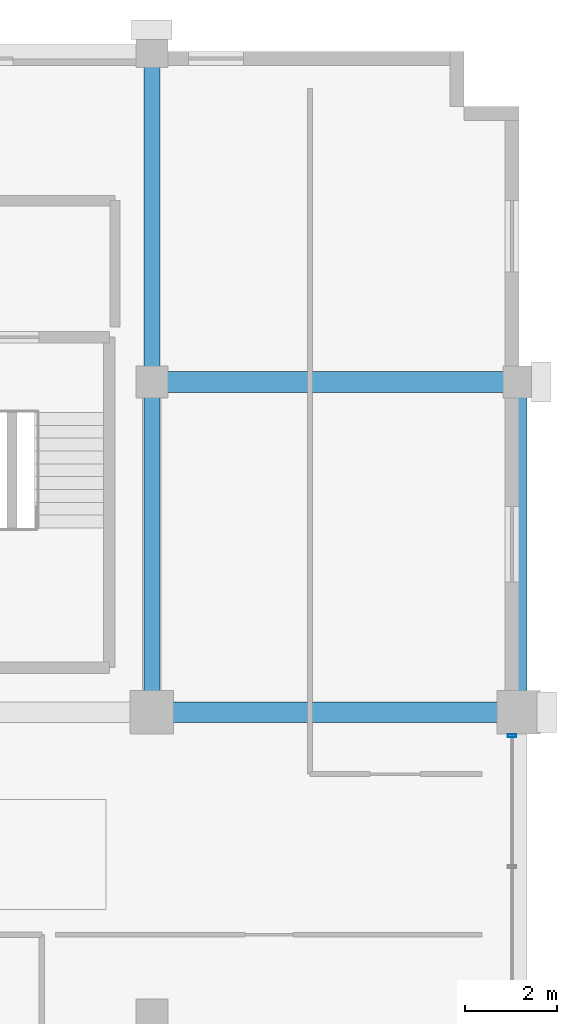
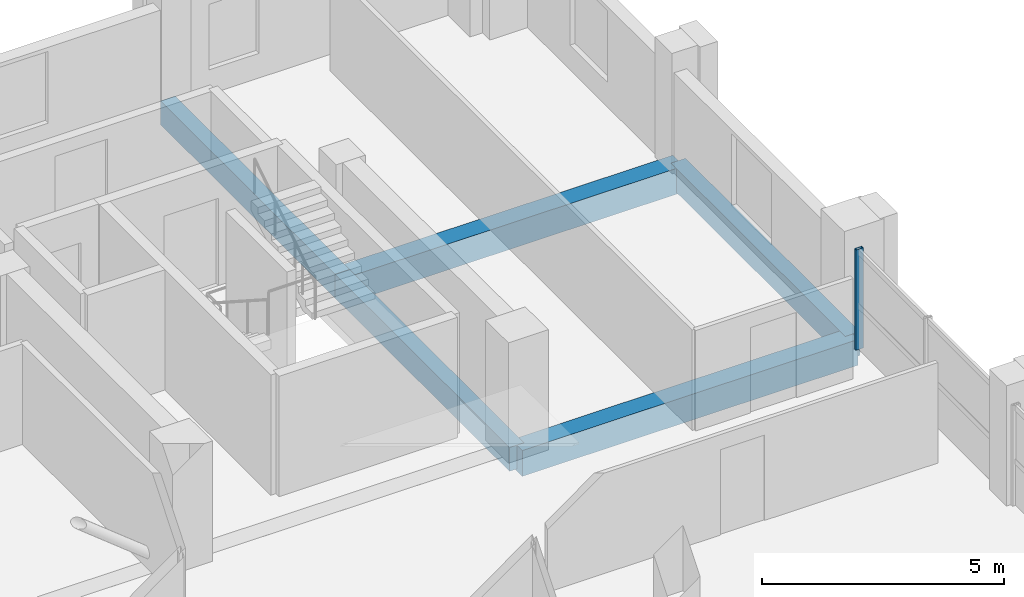
# One storey, part 18 of 25: 5 beams, 1 member, 1 element without a shape of its own.
"""IFC4 building model written with IfcOpenShell, lengths in metres."""

from ifc_helpers import new_model, si_unit, direction, frame, origin, origin_2d, place, context, subcontext, project, spatial, rectangle, hollow_rectangle, extrude, material, material_profile, profile_set, type_object, element, aggregate, save


model = new_model("IFC4")

# Units and contexts
model_context = context("Model", 3, precision=1e-05, world=origin(), true_north=direction((0.0, 1.0)))
body_context = subcontext(model_context, "Body", "Model", "MODEL_VIEW")
ifc_project = project(units=[si_unit("LENGTHUNIT", "METRE"), si_unit("AREAUNIT", "SQUARE_METRE"), si_unit("VOLUMEUNIT", "CUBIC_METRE"), si_unit("PLANEANGLEUNIT", "RADIAN"), si_unit("MASSUNIT", "GRAM", prefix="KILO")], contexts=[model_context])

# Site, building, storey
site_placement = place(None, origin())
site = spatial("IfcSite", under=ifc_project, at=site_placement, CompositionType="ELEMENT")
building_placement = place(site_placement, origin())
building = spatial("IfcBuilding", under=site, at=building_placement, Name="Akrevak Sports Hall", CompositionType="ELEMENT")
storey_placement = place(building_placement, frame((0.0, 0.0, 50.300048828125)))
storey = spatial("IfcBuildingStorey", under=building, at=storey_placement, Name="L12", CompositionType="ELEMENT", Elevation=50.300048828125)

# Curtain wall, member
ifc_material_1 = material(Name="Anodized Bronze Aluminium & Low-E Glass", Category="aluminium")
curtain_wall_type = type_object("IfcCurtainWallType", Name="ARC-CW-TWR-72x30", PredefinedType="NOTDEFINED", material=ifc_material_1)
curtain_wall_placement = place(storey_placement, origin())
curtain_wall = element("IfcCurtainWall", 1, at=curtain_wall_placement, inside=storey, type_object=curtain_wall_type, Name="Curtain Wall CW-L12-E14", PredefinedType="NOTDEFINED")
ifc_material_2 = material(Name="Anodized Bronze Aluminium", Category="aluminium")
ifc_material_profile_1 = material_profile(ifc_material_2, hollow_rectangle(XDim=0.06494140625, YDim=0.179931640625, WallThickness=0.00390625, at=origin_2d()), Name="CWM 65x180", Category="aluminium")
ifc_profile_set_1 = profile_set([ifc_material_profile_1], Name="Anodized Bronze Aluminium")
member_type = type_object("IfcMemberType", Name="ARC-CWM-65x140", PredefinedType="MULLION", material=ifc_profile_set_1)
member_placement = place(storey_placement, frame((107.85009765625, 54.68505859375, 0.0), z_axis=(0.0, 0.0, 1.0), x_axis=(0.0, 1.0, 0.0)))
member = element("IfcMember", 2, at=member_placement, type_object=member_type, Name="Curtain Wall Mullion CW-L12-E14-M3", PredefinedType="MULLION", context=body_context, shape_type="SweptSolid", body=[
    extrude(hollow_rectangle(XDim=0.06494140625, YDim=0.179931640625, WallThickness=0.00390625, at=origin_2d()), origin(), (0.0, 0.0, 1.0), 2.530029296875),
])
aggregate(curtain_wall, [member])

# Beams
ifc_material_3 = material(Name="Concrete C40/50", Category="concrete")
ifc_material_profile_2 = material_profile(ifc_material_3, rectangle(XDim=0.35009765625, YDim=0.60009765625, at=origin_2d()), Name="BM 350x600", Category="concrete")
ifc_profile_set_2 = profile_set([ifc_material_profile_2], Name="Concrete C40/50")
beam_type_1 = type_object("IfcBeamType", Name="STR-BM-RC350x600", PredefinedType="BEAM", material=ifc_profile_set_2)
beam_1_placement = place(storey_placement, frame((100.0, 55.199951171875, -0.300048828125), z_axis=(0.0, 1.0, 0.0), x_axis=(-1.0, 0.0, 0.0)))
element("IfcBeam", 3, at=beam_1_placement, inside=storey, type_object=beam_type_1, Name="Girder 14/I-J (L12)", PredefinedType="BEAM", context=body_context, shape_type="SweptSolid", body=[
    extrude(rectangle(XDim=0.35009765625, YDim=0.60009765625, at=origin_2d()), origin(), (0.0, 0.0, 1.0), 7.199951171875),
])
beam_2_placement = place(storey_placement, frame((100.0, 62.39990234375, -0.300048828125), z_axis=(0.0, 1.0, 0.0), x_axis=(-1.0, 0.0, 0.0)))
element("IfcBeam", 4, at=beam_2_placement, inside=storey, type_object=beam_type_1, Name="Girder 14/J-K (L12)", PredefinedType="BEAM", context=body_context, shape_type="SweptSolid", body=[
    extrude(rectangle(XDim=0.35009765625, YDim=0.60009765625, at=origin_2d()), origin(), (0.0, 0.0, 1.0), 7.2001953125),
])
beam_3_placement = place(storey_placement, frame((108.0, 55.199951171875, -0.300048828125), z_axis=(0.0, 1.0, 0.0), x_axis=(-1.0, 0.0, 0.0)))
element("IfcBeam", 5, at=beam_3_placement, inside=storey, type_object=beam_type_1, Name="Girder 15/I-J (L12)", PredefinedType="BEAM", context=body_context, shape_type="SweptSolid", body=[
    extrude(rectangle(XDim=0.35009765625, YDim=0.60009765625, at=origin_2d()), origin(), (0.0, 0.0, 1.0), 7.199951171875),
])
ifc_material_profile_3 = material_profile(ifc_material_3, rectangle(XDim=0.449951171875, YDim=0.64990234375, at=origin_2d()), Name="BM 450x650", Category="concrete")
ifc_profile_set_3 = profile_set([ifc_material_profile_3], Name="Concrete C40/50")
beam_type_2 = type_object("IfcBeamType", Name="STR-BM-RC450x650", PredefinedType="BEAM", material=ifc_profile_set_3)
for number, where, z_axis, x_axis, name in (
    (6, (100.0, 55.199951171875, -0.324951171875), (1.0, 0.0, 0.0), (0.0, 1.0, 0.0), "Girder I/14-15 (L12)"),
    (7, (100.0, 62.39990234375, -0.324951171875), (1.0, 0.0, 0.0), (0.0, 1.0, 0.0), "Girder J/14-15 (L12)"),
):
    element("IfcBeam", number, at=place(storey_placement, frame(where, z_axis=z_axis, x_axis=x_axis)), inside=storey, type_object=beam_type_2, Name=name, PredefinedType="BEAM", context=body_context, shape_type="SweptSolid", body=[
        extrude(rectangle(XDim=0.449951171875, YDim=0.64990234375, at=origin_2d()), origin(), (0.0, 0.0, 1.0), 8.0),
    ])

save(model, "model.ifc")
